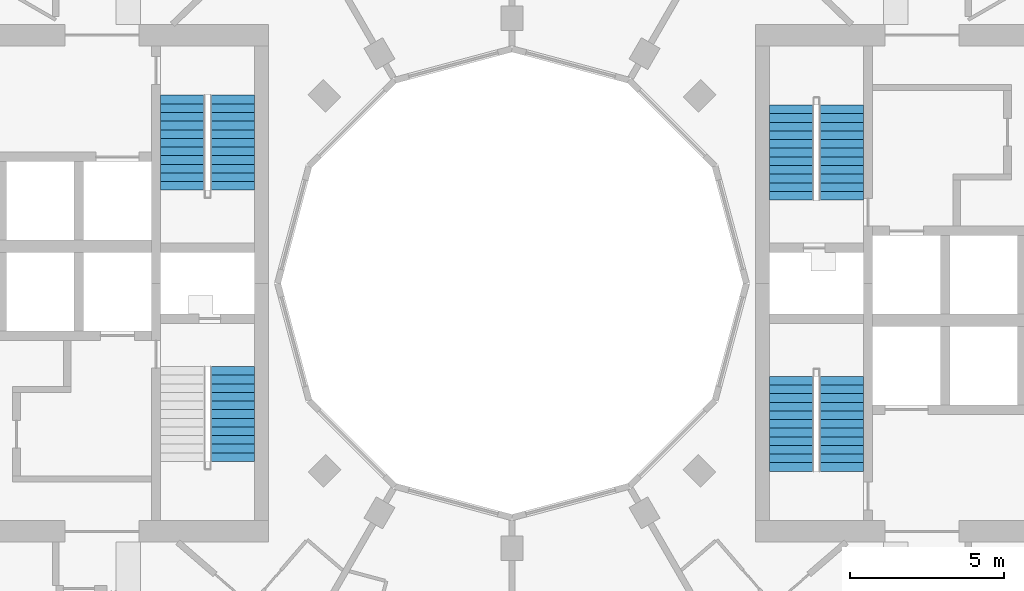
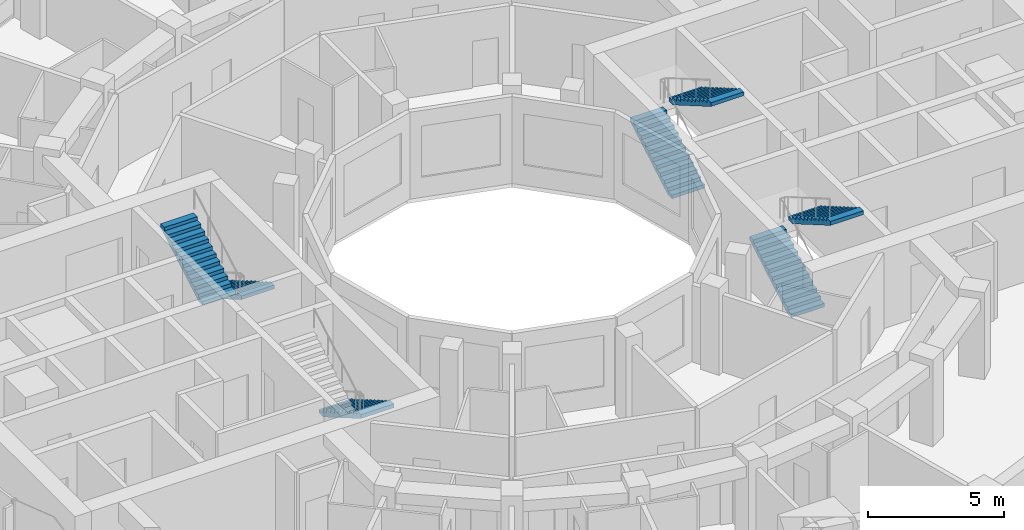
# One storey, part 13 of 15: 7 stair flights, 4 elements without a shape of their own.
"""IFC4 building model written with IfcOpenShell, lengths in metres."""

import ifcopenshell
import ifcopenshell.guid

model = None  # the IFC model being written
_history = None  # IfcOwnerHistory: only IFC2X3 demands one
_inside = {}  # id of a spatial element -> (the spatial element, [elements in it])
_under = {}  # id of a project, library or spatial element -> (it, [spatial elements below it])
_declared = {}  # id of a project -> (the project, [libraries it declares])
_typed = {}  # id of a type object -> (the type object, [elements of that type])
_made_of = {}  # id of a material, layer set ... -> (it, [elements and type objects made of it])


def new_model(schema):
    """Start an empty IFC model of exactly this schema.

    Asked for "IFC4X3", IfcOpenShell would pick the latest addendum, in which some entities
    have other attributes; the version numbers below select the first issue.
    IFC2X3 requires an IfcOwnerHistory on every rooted entity: one is made here for all.
    """
    global model, _history
    if schema == "IFC4X3":
        model = ifcopenshell.file(schema_version=(4, 3, 0, 0))
    else:
        model = ifcopenshell.file(schema=schema)
    _inside.clear()
    _under.clear()
    _declared.clear()
    _typed.clear()
    _made_of.clear()
    _history = None
    if model.schema == "IFC2X3":
        org = make("IfcOrganization", Name="unknown")
        user = make(
            "IfcPersonAndOrganization",
            ThePerson=make("IfcPerson", FamilyName="unknown"),
            TheOrganization=org,
        )
        app = make(
            "IfcApplication",
            ApplicationDeveloper=org,
            Version="unknown",
            ApplicationFullName="unknown",
            ApplicationIdentifier="unknown",
        )
        _history = make(
            "IfcOwnerHistory",
            OwningUser=user,
            OwningApplication=app,
            ChangeAction="ADDED",
            CreationDate=0,
        )
    return model


def make(cls, **values):
    """One entity of the class cls with the attributes given. An attribute that is None is left unset."""
    return model.create_entity(
        cls, **{name: value for name, value in values.items() if value is not None}
    )


def rooted(cls, **values):
    """An entity with a GlobalId (a new one), such as an element, a storey or a relation."""
    return make(cls, GlobalId=ifcopenshell.guid.new(), OwnerHistory=_history, **values)


def si_unit(unit_type, name, prefix=None):
    """IfcSIUnit, for example si_unit("LENGTHUNIT", "METRE", prefix="MILLI")."""
    return make("IfcSIUnit", UnitType=unit_type, Prefix=prefix, Name=name)


def assignment(units):
    """IfcUnitAssignment: the units of a project."""
    return None if units is None else make("IfcUnitAssignment", Units=units)


def point(xyz):
    """IfcCartesianPoint."""
    return None if xyz is None else make("IfcCartesianPoint", Coordinates=xyz)


def direction(xyz):
    """IfcDirection."""
    return None if xyz is None else make("IfcDirection", DirectionRatios=xyz)


def frame(location, z_axis=None, x_axis=None):
    """IfcAxis2Placement3D, a coordinate frame: its origin and axes. An axis left out is left unset."""
    return make(
        "IfcAxis2Placement3D",
        Location=point(location),
        Axis=direction(z_axis),
        RefDirection=direction(x_axis),
    )


def origin():
    """The frame at (0, 0, 0) with its axes left unset."""
    return frame((0.0, 0.0, 0.0))


def place(relative_to, where):
    """IfcLocalPlacement: puts the frame where relative to a parent placement (None: the world)."""
    return make(
        "IfcLocalPlacement", PlacementRelTo=relative_to, RelativePlacement=where
    )


def context(
    kind, dimensions, precision=None, world=None, true_north=None, identifier=None
):
    """IfcGeometricRepresentationContext, for example the 3D "Model" context."""
    return make(
        "IfcGeometricRepresentationContext",
        ContextIdentifier=identifier,
        ContextType=kind,
        CoordinateSpaceDimension=dimensions,
        Precision=precision,
        WorldCoordinateSystem=world,
        TrueNorth=true_north,
    )


def subcontext(parent, identifier, kind, view, scale=None):
    """IfcGeometricRepresentationSubContext, for example "Body" below "Model"."""
    return make(
        "IfcGeometricRepresentationSubContext",
        ContextIdentifier=identifier,
        ContextType=kind,
        ParentContext=parent,
        TargetScale=scale,
        TargetView=view,
    )


def project(units=None, contexts=None):
    """IfcProject with its units and contexts."""
    return rooted(
        "IfcProject",
        Name="project",
        RepresentationContexts=contexts,
        UnitsInContext=assignment(units),
    )


def spatial(cls, under=None, at=None, **own):
    """A site, building, storey or space (cls), placed at a placement, below another one or the project."""
    s = rooted(cls, ObjectPlacement=at, **own)
    if under is not None:
        _under.setdefault(under.id(), (under, []))[1].append(s)
    return s


def polyline(points):
    """IfcPolyline through the points."""
    return make("IfcPolyline", Points=[point(p) for p in points])


def outline(outer, holes=None, kind="AREA"):
    """IfcArbitraryClosedProfileDef: a profile drawn as a closed curve; with holes, ...WithVoids."""
    if holes is None:
        return make("IfcArbitraryClosedProfileDef", ProfileType=kind, OuterCurve=outer)
    return make(
        "IfcArbitraryProfileDefWithVoids",
        ProfileType=kind,
        OuterCurve=outer,
        InnerCurves=holes,
    )


def extrude(swept, where, along, depth):
    """IfcExtrudedAreaSolid: the profile swept, set in the frame where, extruded along a direction by depth."""
    return make(
        "IfcExtrudedAreaSolid",
        SweptArea=swept,
        Position=where,
        ExtrudedDirection=direction(along),
        Depth=depth,
    )


def shape(context_of_items, identifier, shape_type, items):
    """IfcShapeRepresentation: the items that make up one representation, for example the "Body"."""
    return make(
        "IfcShapeRepresentation",
        ContextOfItems=context_of_items,
        RepresentationIdentifier=identifier,
        RepresentationType=shape_type,
        Items=items,
    )


def material(Name=None, Category=None):
    """IfcMaterial."""
    return make("IfcMaterial", Name=Name, Category=Category)


def layer(
    of_material, thickness, ventilated=None, Name=None, Category=None, Priority=None
):
    """IfcMaterialLayer: one layer of a wall or slab, of a material (None: an air gap)."""
    return make(
        "IfcMaterialLayer",
        Material=of_material,
        LayerThickness=thickness,
        IsVentilated=ventilated,
        Name=Name,
        Category=Category,
        Priority=Priority,
    )


def layer_set(layers, Name=None):
    """IfcMaterialLayerSet."""
    return make("IfcMaterialLayerSet", MaterialLayers=layers, LayerSetName=Name)


def made_of(thing, what):
    """Note that an element or type object is made of a material, layer set ...; save() writes the relation."""
    if what is not None:
        _made_of.setdefault(what.id(), (what, []))[1].append(thing)
    return thing


def type_object(cls, material=None, **own):
    """A type object (cls), such as IfcWallType, which elements share."""
    return made_of(rooted(cls, **own), material)


def element(
    cls,
    number,
    at=None,
    inside=None,
    cuts=None,
    type_object=None,
    material=None,
    context=None,
    identifier="Body",
    shape_type=None,
    held_by="IfcProductDefinitionShape",
    body=None,
    shapes=None,
    **own,
):
    """One element of the class cls, such as IfcWall. Its Tag is "e" and its number.

    at: its placement. inside: the storey or other place that contains it. cuts: it is an
    opening in that element (IfcRelVoidsElement). A single representation is given by context,
    identifier, shape_type and body (its items); several are given by shapes. held_by: the class
    of the entity that holds the representations. save() writes the other relations.
    """
    e = rooted(cls, Tag="e%d" % number, ObjectPlacement=at, **own)
    if body is not None:
        shapes = [shape(context, identifier, shape_type, body)]
    if shapes is not None:
        e.Representation = make(held_by, Representations=shapes)
    if inside is not None:
        _inside.setdefault(inside.id(), (inside, []))[1].append(e)
    if cuts is not None:
        rooted(
            "IfcRelVoidsElement", RelatingBuildingElement=cuts, RelatedOpeningElement=e
        )
    if type_object is not None:
        _typed.setdefault(type_object.id(), (type_object, []))[1].append(e)
    return made_of(e, material)


def aggregate(whole, parts):
    """IfcRelAggregates: a whole, such as a stair, and the parts it consists of."""
    return rooted("IfcRelAggregates", RelatingObject=whole, RelatedObjects=parts)


def save(model, path):
    """Write the relations noted so far, then the file.

    IfcRelAggregates (storeys below a building ...), IfcRelContainedInSpatialStructure (elements
    in a storey), IfcRelDefinesByType, IfcRelAssociatesMaterial and IfcRelDeclares: one each for
    every whole, place, type object, material and project.
    """
    for whole, parts in _under.values():
        aggregate(whole, parts)
    for where, things in _inside.values():
        rooted(
            "IfcRelContainedInSpatialStructure",
            RelatedElements=things,
            RelatingStructure=where,
        )
    for kind, things in _typed.values():
        rooted("IfcRelDefinesByType", RelatedObjects=things, RelatingType=kind)
    for what, things in _made_of.values():
        rooted("IfcRelAssociatesMaterial", RelatedObjects=things, RelatingMaterial=what)
    for by, libraries in _declared.values():
        rooted("IfcRelDeclares", RelatingContext=by, RelatedDefinitions=libraries)
    model.write(path)


model = new_model("IFC4")

# Units and contexts
model_context = context("Model", 3, precision=1e-05, world=origin(), true_north=direction((0.0, 1.0)))
body_context = subcontext(model_context, "Body", "Model", "MODEL_VIEW")
ifc_project = project(units=[si_unit("LENGTHUNIT", "METRE"), si_unit("AREAUNIT", "SQUARE_METRE"), si_unit("VOLUMEUNIT", "CUBIC_METRE"), si_unit("PLANEANGLEUNIT", "RADIAN"), si_unit("MASSUNIT", "GRAM", prefix="KILO")], contexts=[model_context])

# Site, building, storey
site_placement = place(None, origin())
site = spatial("IfcSite", under=ifc_project, at=site_placement, CompositionType="ELEMENT")
building_placement = place(site_placement, origin())
building = spatial("IfcBuilding", under=site, at=building_placement, Name="Torre Brocal", CompositionType="ELEMENT")
storey_placement = place(building_placement, frame((0.0, 0.0, 138.0)))
storey = spatial("IfcBuildingStorey", under=building, at=storey_placement, Name="L32", CompositionType="ELEMENT", Elevation=138.0)

# Stair, stair flights
ifc_material_1 = material(Name="Concrete C50", Category="concrete")
stair_type = type_object("IfcStairType", Name="EXIT STAIR", PredefinedType="HALF_TURN_STAIR", material=ifc_material_1)
stair_1_placement = place(storey_placement, origin())
stair_1 = element("IfcStair", 1, at=stair_1_placement, inside=storey, type_object=stair_type, Name="EXIT STAIR ST1", PredefinedType="HALF_TURN_STAIR")
ifc_material_2 = material(Name="Concrete C50", Category="concrete")
ifc_layer = layer(ifc_material_2, 0.14990234375)
ifc_layer_set = layer_set([ifc_layer], Name="Concrete C50")
stair_flight_type = type_object("IfcStairFlightType", Name="STAIR FLIGHT", PredefinedType="STRAIGHT", material=ifc_layer_set)
stair_flight_1_placement = place(storey_placement, frame((89.050048828125, 77.699951171875, 0.0), z_axis=(0.0, 0.0, 1.0), x_axis=(0.0, 1.0, 0.0)))
stair_flight_1 = element("IfcStairFlight", 2, at=stair_flight_1_placement, type_object=stair_flight_type, Name="ST1 flight 1", NumberOfRisers=12, NumberOfTreads=11, PredefinedType="STRAIGHT", RiserHeight=0.1625, TreadLength=0.28, context=body_context, shape_type="SweptSolid", body=[
    extrude(outline(polyline([(0.0, 0.0), (0.0, 0.16259765625), (0.280029296875, 0.16259765625), (0.280029296875, 0.324951171875), (0.56005859375, 0.324951171875), (0.56005859375, 0.487548828125), (0.840087890625, 0.487548828125), (0.840087890625, 0.64990234375), (1.1201171875, 0.64990234375), (1.1201171875, 0.8125), (1.39990234375, 0.8125), (1.39990234375, 0.97509765625), (1.679931640625, 0.97509765625), (1.679931640625, 1.137451171875), (1.9599609375, 1.137451171875), (1.9599609375, 1.300048828125), (2.239990234375, 1.300048828125), (2.239990234375, 1.46240234375), (2.52001953125, 1.46240234375), (2.52001953125, 1.625), (2.800048828125, 1.625), (2.800048828125, 1.78759765625), (3.080078125, 1.78759765625), (3.080078125, 1.949951171875), (3.080078125, 1.6142578125), (0.298583984375, 0.0), (0.0, 0.0)])), frame((0.0, 0.699951171875, 0.0), z_axis=(0.0, -1.0, 0.0), x_axis=(1.0, 0.0, 0.0)), (0.0, 0.0, 1.0), 1.39990234375),
])
stair_flight_2_placement = place(storey_placement, frame((90.699951171875, 80.780029296875, 1.949951171875), z_axis=(0.0, 0.0, 1.0), x_axis=(0.0, -1.0, 0.0)))
stair_flight_2 = element("IfcStairFlight", 3, at=stair_flight_2_placement, type_object=stair_flight_type, Name="ST1 flight 2", NumberOfRisers=12, NumberOfTreads=11, PredefinedType="STRAIGHT", RiserHeight=0.1625, TreadLength=0.28, context=body_context, shape_type="SweptSolid", body=[
    extrude(outline(polyline([(0.0, 0.0), (0.0, 0.16259765625), (0.280029296875, 0.16259765625), (0.280029296875, 0.324951171875), (0.56005859375, 0.324951171875), (0.56005859375, 0.487548828125), (0.840087890625, 0.487548828125), (0.840087890625, 0.64990234375), (1.1201171875, 0.64990234375), (1.1201171875, 0.8125), (1.39990234375, 0.8125), (1.39990234375, 0.97509765625), (1.679931640625, 0.97509765625), (1.679931640625, 1.137451171875), (1.9599609375, 1.137451171875), (1.9599609375, 1.300048828125), (2.239990234375, 1.300048828125), (2.239990234375, 1.46240234375), (2.52001953125, 1.46240234375), (2.52001953125, 1.625), (2.800048828125, 1.625), (2.800048828125, 1.78759765625), (3.080078125, 1.78759765625), (3.080078125, 1.949951171875), (3.080078125, 1.6142578125), (0.298583984375, 0.0), (0.0, 0.0)])), frame((0.0, 0.699951171875, 0.0), z_axis=(0.0, -1.0, 0.0), x_axis=(1.0, 0.0, 0.0)), (0.0, 0.0, 1.0), 1.39990234375),
])
aggregate(stair_1, [stair_flight_1, stair_flight_2])

stair_2_placement = place(storey_placement, origin())
stair_2 = element("IfcStair", 4, at=stair_2_placement, inside=storey, type_object=stair_type, Name="EXIT STAIR ST2", PredefinedType="HALF_TURN_STAIR")
stair_flight_3_placement = place(storey_placement, frame((89.050048828125, 68.89990234375, 0.0), z_axis=(0.0, 0.0, 1.0), x_axis=(0.0, 1.0, 0.0)))
stair_flight_3 = element("IfcStairFlight", 5, at=stair_flight_3_placement, type_object=stair_flight_type, Name="ST2 flight 1", NumberOfRisers=12, NumberOfTreads=11, PredefinedType="STRAIGHT", RiserHeight=0.1625, TreadLength=0.28, context=body_context, shape_type="SweptSolid", body=[
    extrude(outline(polyline([(0.0, 0.0), (0.0, 0.16259765625), (0.280029296875, 0.16259765625), (0.280029296875, 0.324951171875), (0.56005859375, 0.324951171875), (0.56005859375, 0.487548828125), (0.840087890625, 0.487548828125), (0.840087890625, 0.64990234375), (1.1201171875, 0.64990234375), (1.1201171875, 0.8125), (1.39990234375, 0.8125), (1.39990234375, 0.97509765625), (1.679931640625, 0.97509765625), (1.679931640625, 1.137451171875), (1.9599609375, 1.137451171875), (1.9599609375, 1.300048828125), (2.239990234375, 1.300048828125), (2.239990234375, 1.46240234375), (2.52001953125, 1.46240234375), (2.52001953125, 1.625), (2.800048828125, 1.625), (2.800048828125, 1.78759765625), (3.080078125, 1.78759765625), (3.080078125, 1.949951171875), (3.080078125, 1.6142578125), (0.298583984375, 0.0), (0.0, 0.0)])), frame((0.0, 0.699951171875, 0.0), z_axis=(0.0, -1.0, 0.0), x_axis=(1.0, 0.0, 0.0)), (0.0, 0.0, 1.0), 1.39990234375),
])
stair_flight_4_placement = place(storey_placement, frame((90.699951171875, 71.97998046875, 1.949951171875), z_axis=(0.0, 0.0, 1.0), x_axis=(0.0, -1.0, 0.0)))
stair_flight_4 = element("IfcStairFlight", 6, at=stair_flight_4_placement, type_object=stair_flight_type, Name="ST2 flight 2", NumberOfRisers=12, NumberOfTreads=11, PredefinedType="STRAIGHT", RiserHeight=0.1625, TreadLength=0.28, context=body_context, shape_type="SweptSolid", body=[
    extrude(outline(polyline([(0.0, 0.0), (0.0, 0.16259765625), (0.280029296875, 0.16259765625), (0.280029296875, 0.324951171875), (0.56005859375, 0.324951171875), (0.56005859375, 0.487548828125), (0.840087890625, 0.487548828125), (0.840087890625, 0.64990234375), (1.1201171875, 0.64990234375), (1.1201171875, 0.8125), (1.39990234375, 0.8125), (1.39990234375, 0.97509765625), (1.679931640625, 0.97509765625), (1.679931640625, 1.137451171875), (1.9599609375, 1.137451171875), (1.9599609375, 1.300048828125), (2.239990234375, 1.300048828125), (2.239990234375, 1.46240234375), (2.52001953125, 1.46240234375), (2.52001953125, 1.625), (2.800048828125, 1.625), (2.800048828125, 1.78759765625), (3.080078125, 1.78759765625), (3.080078125, 1.949951171875), (3.080078125, 1.6142578125), (0.298583984375, 0.0), (0.0, 0.0)])), frame((0.0, 0.699951171875, 0.0), z_axis=(0.0, -1.0, 0.0), x_axis=(1.0, 0.0, 0.0)), (0.0, 0.0, 1.0), 1.39990234375),
])
aggregate(stair_2, [stair_flight_3, stair_flight_4])

# Stair, stair flight
stair_3_placement = place(storey_placement, origin())
stair_3 = element("IfcStair", 7, at=stair_3_placement, inside=storey, type_object=stair_type, Name="EXIT STAIR ST3", PredefinedType="HALF_TURN_STAIR")
stair_flight_5_placement = place(storey_placement, frame((70.949951171875, 72.300048828125, 0.0), z_axis=(0.0, 0.0, 1.0), x_axis=(0.0, -1.0, 0.0)))
stair_flight_5 = element("IfcStairFlight", 8, at=stair_flight_5_placement, type_object=stair_flight_type, Name="ST3 flight 1", NumberOfRisers=12, NumberOfTreads=11, PredefinedType="STRAIGHT", RiserHeight=0.1625, TreadLength=0.28, context=body_context, shape_type="SweptSolid", body=[
    extrude(outline(polyline([(0.0, 0.0), (0.0, 0.16259765625), (0.280029296875, 0.16259765625), (0.280029296875, 0.324951171875), (0.56005859375, 0.324951171875), (0.56005859375, 0.487548828125), (0.840087890625, 0.487548828125), (0.840087890625, 0.64990234375), (1.1201171875, 0.64990234375), (1.1201171875, 0.8125), (1.39990234375, 0.8125), (1.39990234375, 0.97509765625), (1.679931640625, 0.97509765625), (1.679931640625, 1.137451171875), (1.9599609375, 1.137451171875), (1.9599609375, 1.300048828125), (2.239990234375, 1.300048828125), (2.239990234375, 1.46240234375), (2.52001953125, 1.46240234375), (2.52001953125, 1.625), (2.800048828125, 1.625), (2.800048828125, 1.78759765625), (3.080078125, 1.78759765625), (3.080078125, 1.949951171875), (3.080078125, 1.6142578125), (0.298583984375, 0.0), (0.0, 0.0)])), frame((0.0, 0.699951171875, 0.0), z_axis=(0.0, -1.0, 0.0), x_axis=(1.0, 0.0, 0.0)), (0.0, 0.0, 1.0), 1.39990234375),
])
aggregate(stair_3, [stair_flight_5])

# Stair, stair flights
stair_4_placement = place(storey_placement, origin())
stair_4 = element("IfcStair", 9, at=stair_4_placement, inside=storey, type_object=stair_type, Name="EXIT STAIR ST4", PredefinedType="HALF_TURN_STAIR")
stair_flight_6_placement = place(storey_placement, frame((70.949951171875, 81.10009765625, 0.0), z_axis=(0.0, 0.0, 1.0), x_axis=(0.0, -1.0, 0.0)))
stair_flight_6 = element("IfcStairFlight", 10, at=stair_flight_6_placement, type_object=stair_flight_type, Name="ST4 flight 1", NumberOfRisers=12, NumberOfTreads=11, PredefinedType="STRAIGHT", RiserHeight=0.1625, TreadLength=0.28, context=body_context, shape_type="SweptSolid", body=[
    extrude(outline(polyline([(0.0, 0.0), (0.0, 0.16259765625), (0.280029296875, 0.16259765625), (0.280029296875, 0.324951171875), (0.56005859375, 0.324951171875), (0.56005859375, 0.487548828125), (0.840087890625, 0.487548828125), (0.840087890625, 0.64990234375), (1.1201171875, 0.64990234375), (1.1201171875, 0.8125), (1.39990234375, 0.8125), (1.39990234375, 0.97509765625), (1.679931640625, 0.97509765625), (1.679931640625, 1.137451171875), (1.9599609375, 1.137451171875), (1.9599609375, 1.300048828125), (2.239990234375, 1.300048828125), (2.239990234375, 1.46240234375), (2.52001953125, 1.46240234375), (2.52001953125, 1.625), (2.800048828125, 1.625), (2.800048828125, 1.78759765625), (3.080078125, 1.78759765625), (3.080078125, 1.949951171875), (3.080078125, 1.6142578125), (0.298583984375, 0.0), (0.0, 0.0)])), frame((0.0, 0.699951171875, 0.0), z_axis=(0.0, -1.0, 0.0), x_axis=(1.0, 0.0, 0.0)), (0.0, 0.0, 1.0), 1.39990234375),
])
stair_flight_7_placement = place(storey_placement, frame((69.300048828125, 78.02001953125, 1.949951171875), z_axis=(0.0, 0.0, 1.0), x_axis=(0.0, 1.0, 0.0)))
stair_flight_7 = element("IfcStairFlight", 11, at=stair_flight_7_placement, type_object=stair_flight_type, Name="ST4 flight 2", NumberOfRisers=12, NumberOfTreads=11, PredefinedType="STRAIGHT", RiserHeight=0.1625, TreadLength=0.28, context=body_context, shape_type="SweptSolid", body=[
    extrude(outline(polyline([(0.0, 0.0), (0.0, 0.16259765625), (0.280029296875, 0.16259765625), (0.280029296875, 0.324951171875), (0.56005859375, 0.324951171875), (0.56005859375, 0.487548828125), (0.840087890625, 0.487548828125), (0.840087890625, 0.64990234375), (1.1201171875, 0.64990234375), (1.1201171875, 0.8125), (1.39990234375, 0.8125), (1.39990234375, 0.97509765625), (1.679931640625, 0.97509765625), (1.679931640625, 1.137451171875), (1.9599609375, 1.137451171875), (1.9599609375, 1.300048828125), (2.239990234375, 1.300048828125), (2.239990234375, 1.46240234375), (2.52001953125, 1.46240234375), (2.52001953125, 1.625), (2.800048828125, 1.625), (2.800048828125, 1.78759765625), (3.080078125, 1.78759765625), (3.080078125, 1.949951171875), (3.080078125, 1.6142578125), (0.298583984375, 0.0), (0.0, 0.0)])), frame((0.0, 0.699951171875, 0.0), z_axis=(0.0, -1.0, 0.0), x_axis=(1.0, 0.0, 0.0)), (0.0, 0.0, 1.0), 1.39990234375),
])
aggregate(stair_4, [stair_flight_6, stair_flight_7])

save(model, "model.ifc")
